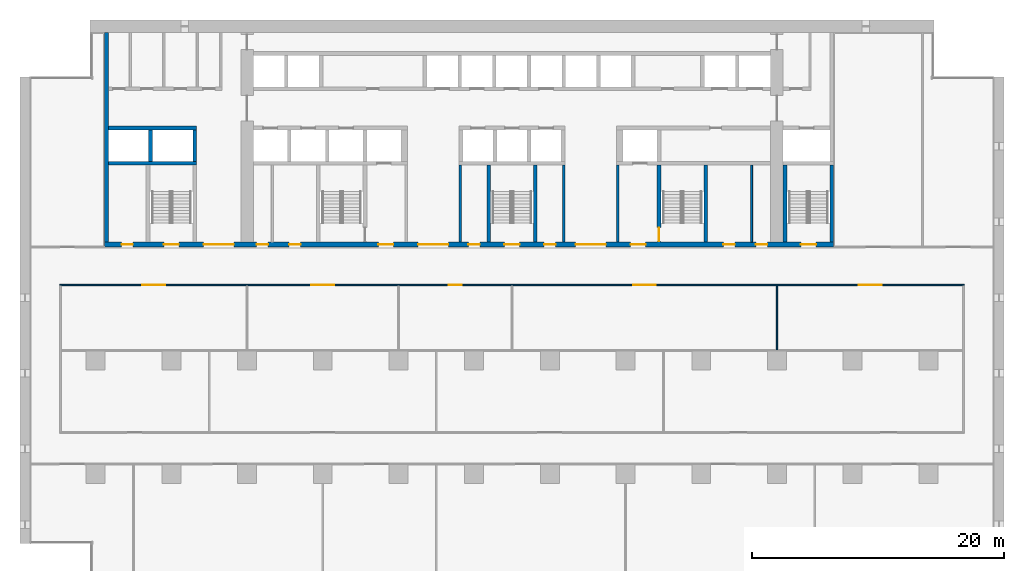
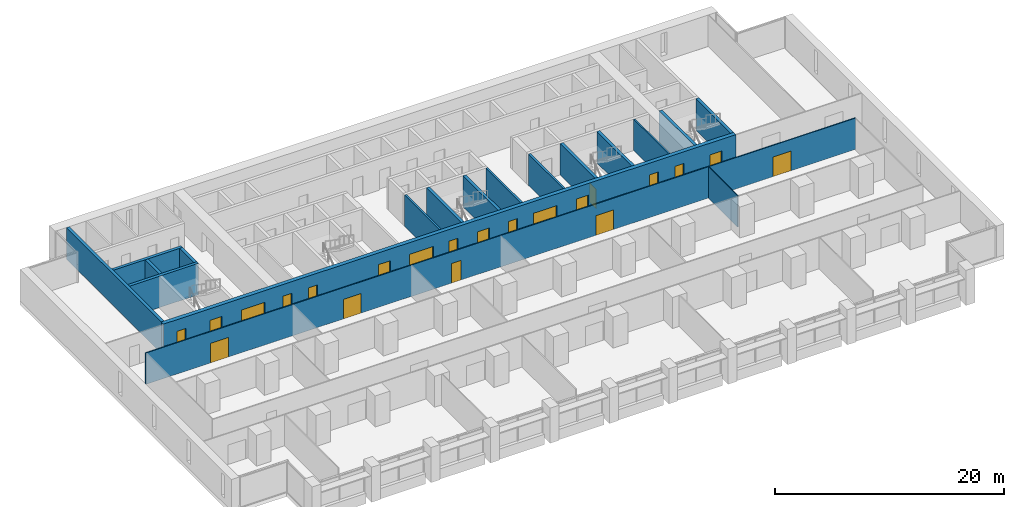
# One storey, part 10 of 18: 21 doors, 18 walls, 21 openings.
"""IFC4 building model written with IfcOpenShell, lengths in metres."""

import ifcopenshell
import ifcopenshell.guid

model = None  # the IFC model being written
_history = None  # IfcOwnerHistory: only IFC2X3 demands one
_inside = {}  # id of a spatial element -> (the spatial element, [elements in it])
_under = {}  # id of a project, library or spatial element -> (it, [spatial elements below it])
_declared = {}  # id of a project -> (the project, [libraries it declares])
_typed = {}  # id of a type object -> (the type object, [elements of that type])
_made_of = {}  # id of a material, layer set ... -> (it, [elements and type objects made of it])


def new_model(schema):
    """Start an empty IFC model of exactly this schema.

    Asked for "IFC4X3", IfcOpenShell would pick the latest addendum, in which some entities
    have other attributes; the version numbers below select the first issue.
    IFC2X3 requires an IfcOwnerHistory on every rooted entity: one is made here for all.
    """
    global model, _history
    if schema == "IFC4X3":
        model = ifcopenshell.file(schema_version=(4, 3, 0, 0))
    else:
        model = ifcopenshell.file(schema=schema)
    _inside.clear()
    _under.clear()
    _declared.clear()
    _typed.clear()
    _made_of.clear()
    _history = None
    if model.schema == "IFC2X3":
        org = make("IfcOrganization", Name="unknown")
        user = make(
            "IfcPersonAndOrganization",
            ThePerson=make("IfcPerson", FamilyName="unknown"),
            TheOrganization=org,
        )
        app = make(
            "IfcApplication",
            ApplicationDeveloper=org,
            Version="unknown",
            ApplicationFullName="unknown",
            ApplicationIdentifier="unknown",
        )
        _history = make(
            "IfcOwnerHistory",
            OwningUser=user,
            OwningApplication=app,
            ChangeAction="ADDED",
            CreationDate=0,
        )
    return model


def make(cls, **values):
    """One entity of the class cls with the attributes given. An attribute that is None is left unset."""
    return model.create_entity(
        cls, **{name: value for name, value in values.items() if value is not None}
    )


def rooted(cls, **values):
    """An entity with a GlobalId (a new one), such as an element, a storey or a relation."""
    return make(cls, GlobalId=ifcopenshell.guid.new(), OwnerHistory=_history, **values)


def si_unit(unit_type, name, prefix=None):
    """IfcSIUnit, for example si_unit("LENGTHUNIT", "METRE", prefix="MILLI")."""
    return make("IfcSIUnit", UnitType=unit_type, Prefix=prefix, Name=name)


def assignment(units):
    """IfcUnitAssignment: the units of a project."""
    return None if units is None else make("IfcUnitAssignment", Units=units)


def point(xyz):
    """IfcCartesianPoint."""
    return None if xyz is None else make("IfcCartesianPoint", Coordinates=xyz)


def direction(xyz):
    """IfcDirection."""
    return None if xyz is None else make("IfcDirection", DirectionRatios=xyz)


def frame(location, z_axis=None, x_axis=None):
    """IfcAxis2Placement3D, a coordinate frame: its origin and axes. An axis left out is left unset."""
    return make(
        "IfcAxis2Placement3D",
        Location=point(location),
        Axis=direction(z_axis),
        RefDirection=direction(x_axis),
    )


def frame_2d(location, x_axis=None):
    """IfcAxis2Placement2D, a coordinate frame in the plane: its origin and x axis."""
    return make(
        "IfcAxis2Placement2D", Location=point(location), RefDirection=direction(x_axis)
    )


def origin():
    """The frame at (0, 0, 0) with its axes left unset."""
    return frame((0.0, 0.0, 0.0))


def place(relative_to, where):
    """IfcLocalPlacement: puts the frame where relative to a parent placement (None: the world)."""
    return make(
        "IfcLocalPlacement", PlacementRelTo=relative_to, RelativePlacement=where
    )


def context(
    kind, dimensions, precision=None, world=None, true_north=None, identifier=None
):
    """IfcGeometricRepresentationContext, for example the 3D "Model" context."""
    return make(
        "IfcGeometricRepresentationContext",
        ContextIdentifier=identifier,
        ContextType=kind,
        CoordinateSpaceDimension=dimensions,
        Precision=precision,
        WorldCoordinateSystem=world,
        TrueNorth=true_north,
    )


def subcontext(parent, identifier, kind, view, scale=None):
    """IfcGeometricRepresentationSubContext, for example "Body" below "Model"."""
    return make(
        "IfcGeometricRepresentationSubContext",
        ContextIdentifier=identifier,
        ContextType=kind,
        ParentContext=parent,
        TargetScale=scale,
        TargetView=view,
    )


def project(units=None, contexts=None):
    """IfcProject with its units and contexts."""
    return rooted(
        "IfcProject",
        Name="project",
        RepresentationContexts=contexts,
        UnitsInContext=assignment(units),
    )


def spatial(cls, under=None, at=None, **own):
    """A site, building, storey or space (cls), placed at a placement, below another one or the project."""
    s = rooted(cls, ObjectPlacement=at, **own)
    if under is not None:
        _under.setdefault(under.id(), (under, []))[1].append(s)
    return s


def profile(cls, at=None, kind="AREA", **sizes):
    """A parametric profile (cls). Its sizes go by their IFC names, for example OverallWidth=200.0."""
    return make(cls, ProfileType=kind, Position=at, **sizes)


def rectangle(**sizes):
    """IfcRectangleProfileDef."""
    return profile("IfcRectangleProfileDef", **sizes)


def extrude(swept, where, along, depth):
    """IfcExtrudedAreaSolid: the profile swept, set in the frame where, extruded along a direction by depth."""
    return make(
        "IfcExtrudedAreaSolid",
        SweptArea=swept,
        Position=where,
        ExtrudedDirection=direction(along),
        Depth=depth,
    )


def shape(context_of_items, identifier, shape_type, items):
    """IfcShapeRepresentation: the items that make up one representation, for example the "Body"."""
    return make(
        "IfcShapeRepresentation",
        ContextOfItems=context_of_items,
        RepresentationIdentifier=identifier,
        RepresentationType=shape_type,
        Items=items,
    )


def material(Name=None, Category=None):
    """IfcMaterial."""
    return make("IfcMaterial", Name=Name, Category=Category)


def layer(
    of_material, thickness, ventilated=None, Name=None, Category=None, Priority=None
):
    """IfcMaterialLayer: one layer of a wall or slab, of a material (None: an air gap)."""
    return make(
        "IfcMaterialLayer",
        Material=of_material,
        LayerThickness=thickness,
        IsVentilated=ventilated,
        Name=Name,
        Category=Category,
        Priority=Priority,
    )


def layer_set(layers, Name=None):
    """IfcMaterialLayerSet."""
    return make("IfcMaterialLayerSet", MaterialLayers=layers, LayerSetName=Name)


def made_of(thing, what):
    """Note that an element or type object is made of a material, layer set ...; save() writes the relation."""
    if what is not None:
        _made_of.setdefault(what.id(), (what, []))[1].append(thing)
    return thing


def type_object(cls, material=None, **own):
    """A type object (cls), such as IfcWallType, which elements share."""
    return made_of(rooted(cls, **own), material)


def element(
    cls,
    number,
    at=None,
    inside=None,
    cuts=None,
    type_object=None,
    material=None,
    context=None,
    identifier="Body",
    shape_type=None,
    held_by="IfcProductDefinitionShape",
    body=None,
    shapes=None,
    **own,
):
    """One element of the class cls, such as IfcWall. Its Tag is "e" and its number.

    at: its placement. inside: the storey or other place that contains it. cuts: it is an
    opening in that element (IfcRelVoidsElement). A single representation is given by context,
    identifier, shape_type and body (its items); several are given by shapes. held_by: the class
    of the entity that holds the representations. save() writes the other relations.
    """
    e = rooted(cls, Tag="e%d" % number, ObjectPlacement=at, **own)
    if body is not None:
        shapes = [shape(context, identifier, shape_type, body)]
    if shapes is not None:
        e.Representation = make(held_by, Representations=shapes)
    if inside is not None:
        _inside.setdefault(inside.id(), (inside, []))[1].append(e)
    if cuts is not None:
        rooted(
            "IfcRelVoidsElement", RelatingBuildingElement=cuts, RelatedOpeningElement=e
        )
    if type_object is not None:
        _typed.setdefault(type_object.id(), (type_object, []))[1].append(e)
    return made_of(e, material)


def fill(opening, filler):
    """IfcRelFillsElement: the door or window that sits in an opening."""
    return rooted(
        "IfcRelFillsElement",
        RelatingOpeningElement=opening,
        RelatedBuildingElement=filler,
    )


def aggregate(whole, parts):
    """IfcRelAggregates: a whole, such as a stair, and the parts it consists of."""
    return rooted("IfcRelAggregates", RelatingObject=whole, RelatedObjects=parts)


def save(model, path):
    """Write the relations noted so far, then the file.

    IfcRelAggregates (storeys below a building ...), IfcRelContainedInSpatialStructure (elements
    in a storey), IfcRelDefinesByType, IfcRelAssociatesMaterial and IfcRelDeclares: one each for
    every whole, place, type object, material and project.
    """
    for whole, parts in _under.values():
        aggregate(whole, parts)
    for where, things in _inside.values():
        rooted(
            "IfcRelContainedInSpatialStructure",
            RelatedElements=things,
            RelatingStructure=where,
        )
    for kind, things in _typed.values():
        rooted("IfcRelDefinesByType", RelatedObjects=things, RelatingType=kind)
    for what, things in _made_of.values():
        rooted("IfcRelAssociatesMaterial", RelatedObjects=things, RelatingMaterial=what)
    for by, libraries in _declared.values():
        rooted("IfcRelDeclares", RelatingContext=by, RelatedDefinitions=libraries)
    model.write(path)


model = new_model("IFC4")

# Units and contexts
model_context = context("Model", 3, precision=1e-05, world=origin(), true_north=direction((0.0, 1.0)))
body_context = subcontext(model_context, "Body", "Model", "MODEL_VIEW")
ifc_project = project(units=[si_unit("LENGTHUNIT", "METRE"), si_unit("AREAUNIT", "SQUARE_METRE"), si_unit("VOLUMEUNIT", "CUBIC_METRE"), si_unit("PLANEANGLEUNIT", "RADIAN"), si_unit("MASSUNIT", "GRAM", prefix="KILO")], contexts=[model_context])

# Site, building, storey
site_placement = place(None, origin())
site = spatial("IfcSite", under=ifc_project, at=site_placement, CompositionType="ELEMENT")
building_placement = place(site_placement, origin())
building = spatial("IfcBuilding", under=site, at=building_placement, Name="Calvaro Tower", CompositionType="ELEMENT")
storey_placement = place(building_placement, frame((0.0, 0.0, 78.75)))
storey = spatial("IfcBuildingStorey", under=building, at=storey_placement, Name="L19", CompositionType="ELEMENT", Elevation=78.75)

# Walls
ifc_material_1 = material(Name="Blockwork partition", Category="masonry")
ifc_layer_1 = layer(ifc_material_1, 0.14990234375)
ifc_layer_set_1 = layer_set([ifc_layer_1], Name="Blockwork partition")
wall_type_1 = type_object("IfcWallType", Name="Core partition 150 EI 60", PredefinedType="PARTITIONING", material=ifc_layer_set_1)
wall_1_placement = place(storey_placement, frame((58.0, 28.39990234375, 0.0), z_axis=(0.0, 0.0, 1.0), x_axis=(0.0, 1.0, 0.0)))
element("IfcWall", 1, at=wall_1_placement, inside=storey, type_object=wall_type_1, Name="Core partition", PredefinedType="PARTITIONING", context=body_context, shape_type="SweptSolid", body=[
    extrude(rectangle(XDim=6.10009765625, YDim=0.14990234375, at=frame_2d((3.050048828125, 0.0))), origin(), (0.0, 0.0, 1.0), 3.35009765625),
])
ifc_material_2 = material(Name="Blockwork partition", Category="masonry")
ifc_layer_2 = layer(ifc_material_2, 0.199951171875)
ifc_layer_set_2 = layer_set([ifc_layer_2], Name="Blockwork partition")
wall_type_2 = type_object("IfcWallType", Name="Core partition 200 REI 120", PredefinedType="PARTITIONING", material=ifc_layer_set_2)
for number, where, z_axis, x_axis, name in (
    (2, (34.89990234375, 28.39990234375, 0.0), (0.0, 0.0, 1.0), (0.0, 1.0, 0.0), "Core partition"),
    (3, (43.10009765625, 28.39990234375, 0.0), (0.0, 0.0, 1.0), (0.0, 1.0, 0.0), "Core partition"),
    (4, (47.39990234375, 28.39990234375, 0.0), (0.0, 0.0, 1.0), (0.0, 1.0, 0.0), "Core partition"),
):
    element("IfcWall", number, at=place(storey_placement, frame(where, z_axis=z_axis, x_axis=x_axis)), inside=storey, type_object=wall_type_2, Name=name, PredefinedType="PARTITIONING", context=body_context, shape_type="SweptSolid", body=[
        extrude(rectangle(XDim=6.10009765625, YDim=0.199951171875, at=frame_2d((3.050048828125, 0.0))), origin(), (0.0, 0.0, 1.0), 3.35009765625),
    ])
ifc_material_3 = material(Name="Concrete C80/95", Category="concrete")
ifc_layer_3 = layer(ifc_material_3, 0.300048828125)
ifc_layer_set_3 = layer_set([ifc_layer_3], Name="Concrete C80/95")
wall_type_3 = type_object("IfcWallType", Name="Core wall C80/95 300", PredefinedType="SHEAR", material=ifc_layer_set_3)
wall_2_placement = place(storey_placement, frame((6.85009765625, 28.39990234375, 0.0), z_axis=(0.0, 0.0, 1.0), x_axis=(0.0, 1.0, 0.0)))
element("IfcWall", 5, at=wall_2_placement, inside=storey, type_object=wall_type_3, Name="Core wall, boundary", PredefinedType="SHEAR", context=body_context, shape_type="SweptSolid", body=[
    extrude(rectangle(XDim=16.60009765625, YDim=0.300048828125, at=frame_2d((8.300048828125, 0.0))), origin(), (0.0, 0.0, 1.0), 3.35009765625),
])
for number, where, z_axis, x_axis, name in (
    (6, (37.14990234375, 28.39990234375, 0.0), (0.0, 0.0, 1.0), (0.0, 1.0, 0.0), "Core wall, stair enclosure"),
    (7, (40.85009765625, 28.39990234375, 0.0), (0.0, 0.0, 1.0), (0.0, 1.0, 0.0), "Core wall, stair enclosure"),
):
    element("IfcWall", number, at=place(storey_placement, frame(where, z_axis=z_axis, x_axis=x_axis)), inside=storey, type_object=wall_type_3, Name=name, PredefinedType="SHEAR", context=body_context, shape_type="SweptSolid", body=[
        extrude(rectangle(XDim=6.10009765625, YDim=0.300048828125, at=frame_2d((3.050048828125, 0.0))), origin(), (0.0, 0.0, 1.0), 3.35009765625),
    ])

# Wall, opening, door
wall_3_placement = place(storey_placement, frame((50.64990234375, 34.5, 0.0), z_axis=(0.0, 0.0, 1.0), x_axis=(0.0, -1.0, 0.0)))
wall_3 = element("IfcWall", 8, at=wall_3_placement, inside=storey, type_object=wall_type_3, Name="Core wall, stair enclosure", PredefinedType="SHEAR", context=body_context, shape_type="SweptSolid", body=[
    extrude(rectangle(XDim=6.10009765625, YDim=0.300048828125, at=frame_2d((3.050048828125, 0.0))), origin(), (0.0, 0.0, 1.0), 3.35009765625),
])
opening_1_placement = place(wall_3_placement, frame((4.949951171875, 0.0, 0.0)))
opening_1 = element("IfcOpeningElement", 9, at=opening_1_placement, cuts=wall_3, Name="Opening FD11D", PredefinedType="OPENING", context=body_context, shape_type="SweptSolid", body=[
    extrude(rectangle(XDim=1.10009765625, YDim=2.10009765625, at=frame_2d((0.550048828125, 1.050048828125))), frame((0.0, 0.159912109375, 0.0), z_axis=(0.0, -1.0, 0.0), x_axis=(1.0, 0.0, 0.0)), (0.0, 0.0, 1.0), 0.320068359375),
])
ifc_material_4 = material(Name="Steel door set", Category="steel")
door_type_1 = type_object("IfcDoorType", Name="Fire door 1100 FD30S", OperationType="SINGLE_SWING_LEFT", PredefinedType="DOOR", material=ifc_material_4)
door_1_placement = place(opening_1_placement, origin())
door_1 = element("IfcDoor", 10, at=door_1_placement, inside=storey, type_object=door_type_1, Name="Fire door", OperationType="SINGLE_SWING_RIGHT", OverallHeight=2.10009765625, OverallWidth=1.10009765625, PredefinedType="DOOR", context=body_context, shape_type="SweptSolid", body=[
    extrude(rectangle(XDim=1.10009765625, YDim=2.10009765625, at=frame_2d((0.550048828125, 1.050048828125))), frame((0.0, 0.02490234375, 0.0), z_axis=(0.0, -1.0, 0.0), x_axis=(1.0, 0.0, 0.0)), (0.0, 0.0, 1.0), 0.050048828125),
])
fill(opening_1, door_1)

# Walls
for number, where, z_axis, x_axis, name in (
    (11, (54.35009765625, 28.39990234375, 0.0), (0.0, 0.0, 1.0), (0.0, 1.0, 0.0), "Core wall, stair enclosure"),
    (12, (60.64990234375, 28.39990234375, 0.0), (0.0, 0.0, 1.0), (0.0, 1.0, 0.0), "Core wall, stair enclosure"),
    (13, (64.35009765625, 28.39990234375, 0.0), (0.0, 0.0, 1.0), (0.0, 1.0, 0.0), "Core wall, stair enclosure"),
):
    element("IfcWall", number, at=place(storey_placement, frame(where, z_axis=z_axis, x_axis=x_axis)), inside=storey, type_object=wall_type_3, Name=name, PredefinedType="SHEAR", context=body_context, shape_type="SweptSolid", body=[
        extrude(rectangle(XDim=6.10009765625, YDim=0.300048828125, at=frame_2d((3.050048828125, 0.0))), origin(), (0.0, 0.0, 1.0), 3.35009765625),
    ])
for number, where, z_axis, x_axis, name in (
    (14, (7.0, 34.64990234375, 0.0), (0.0, 0.0, 1.0), (1.0, 0.0, 0.0), "Core wall, lift shaft"),
    (15, (7.0, 37.449951171875, 0.0), (0.0, 0.0, 1.0), (1.0, 0.0, 0.0), "Core wall, lift shaft"),
):
    element("IfcWall", number, at=place(storey_placement, frame(where, z_axis=z_axis, x_axis=x_axis)), inside=storey, type_object=wall_type_3, Name=name, PredefinedType="SHEAR", context=body_context, shape_type="SweptSolid", body=[
        extrude(rectangle(XDim=7.0, YDim=0.300048828125, at=frame_2d((3.5, 0.0))), origin(), (0.0, 0.0, 1.0), 3.35009765625),
    ])
for number, where, z_axis, x_axis, name in (
    (16, (13.85009765625, 34.800048828125, 0.0), (0.0, 0.0, 1.0), (0.0, 1.0, 0.0), "Core wall, lift shaft"),
    (17, (10.35009765625, 34.800048828125, 0.0), (0.0, 0.0, 1.0), (0.0, 1.0, 0.0), "Core wall, lift shaft"),
):
    element("IfcWall", number, at=place(storey_placement, frame(where, z_axis=z_axis, x_axis=x_axis)), inside=storey, type_object=wall_type_3, Name=name, PredefinedType="SHEAR", context=body_context, shape_type="SweptSolid", body=[
        extrude(rectangle(XDim=2.5, YDim=0.300048828125, at=frame_2d((1.25, 0.0))), origin(), (0.0, 0.0, 1.0), 3.35009765625),
    ])

# Wall, openings, doors
ifc_material_5 = material(Name="Concrete C80/95", Category="concrete")
ifc_layer_4 = layer(ifc_material_5, 0.39990234375)
ifc_layer_set_4 = layer_set([ifc_layer_4], Name="Concrete C80/95")
wall_type_4 = type_object("IfcWallType", Name="Core wall C80/95 400", PredefinedType="SHEAR", material=ifc_layer_set_4)
wall_4_placement = place(storey_placement, frame((6.699951171875, 28.199951171875, 0.0), z_axis=(0.0, 0.0, 1.0), x_axis=(1.0, 0.0, 0.0)))
wall_4 = element("IfcWall", 18, at=wall_4_placement, inside=storey, type_object=wall_type_4, Name="Core wall, front", PredefinedType="SHEAR", context=body_context, shape_type="SweptSolid", body=[
    extrude(rectangle(XDim=57.800048828125, YDim=0.39990234375, at=frame_2d((28.89990234375, 0.0))), origin(), (0.0, 0.0, 1.0), 3.35009765625),
])
opening_2_placement = place(wall_4_placement, frame((12.0625, 0.0, 0.0)))
opening_2 = element("IfcOpeningElement", 19, at=opening_2_placement, cuts=wall_4, Name="Opening RD9C", PredefinedType="OPENING", context=body_context, shape_type="SweptSolid", body=[
    extrude(rectangle(XDim=0.89990234375, YDim=2.10009765625, at=frame_2d((0.449951171875, 1.050048828125))), frame((0.0, 0.2099609375, 0.0), z_axis=(0.0, -1.0, 0.0), x_axis=(1.0, 0.0, 0.0)), (0.0, 0.0, 1.0), 0.419921875),
])
opening_3_placement = place(wall_4_placement, frame((14.637451171875, 0.0, 0.0)))
opening_3 = element("IfcOpeningElement", 20, at=opening_3_placement, cuts=wall_4, Name="Opening RD9E", PredefinedType="OPENING", context=body_context, shape_type="SweptSolid", body=[
    extrude(rectangle(XDim=0.89990234375, YDim=2.10009765625, at=frame_2d((0.449951171875, 1.050048828125))), frame((0.0, 0.2099609375, 0.0), z_axis=(0.0, -1.0, 0.0), x_axis=(1.0, 0.0, 0.0)), (0.0, 0.0, 1.0), 0.419921875),
])
opening_4_placement = place(wall_4_placement, frame((49.0625, 0.0, 0.0)))
opening_4 = element("IfcOpeningElement", 21, at=opening_4_placement, cuts=wall_4, Name="Opening RD9E", PredefinedType="OPENING", context=body_context, shape_type="SweptSolid", body=[
    extrude(rectangle(XDim=0.89990234375, YDim=2.10009765625, at=frame_2d((0.449951171875, 1.050048828125))), frame((0.0, 0.2099609375, 0.0), z_axis=(0.0, -1.0, 0.0), x_axis=(1.0, 0.0, 0.0)), (0.0, 0.0, 1.0), 0.419921875),
])
opening_5_placement = place(wall_4_placement, frame((51.637451171875, 0.0, 0.0)))
opening_5 = element("IfcOpeningElement", 22, at=opening_5_placement, cuts=wall_4, Name="Opening RD9C", PredefinedType="OPENING", context=body_context, shape_type="SweptSolid", body=[
    extrude(rectangle(XDim=0.89990234375, YDim=2.10009765625, at=frame_2d((0.449951171875, 1.050048828125))), frame((0.0, 0.2099609375, 0.0), z_axis=(0.0, -1.0, 0.0), x_axis=(1.0, 0.0, 0.0)), (0.0, 0.0, 1.0), 0.419921875),
])
opening_6_placement = place(wall_4_placement, frame((1.35009765625, 0.0, 0.0)))
opening_6 = element("IfcOpeningElement", 23, at=opening_6_placement, cuts=wall_4, Name="Opening RD9E", PredefinedType="OPENING", context=body_context, shape_type="SweptSolid", body=[
    extrude(rectangle(XDim=0.89990234375, YDim=2.10009765625, at=frame_2d((0.449951171875, 1.050048828125))), frame((0.0, 0.2099609375, 0.0), z_axis=(0.0, -1.0, 0.0), x_axis=(1.0, 0.0, 0.0)), (0.0, 0.0, 1.0), 0.419921875),
])
opening_7_placement = place(wall_4_placement, frame((4.699951171875, 0.0, 0.0)))
opening_7 = element("IfcOpeningElement", 24, at=opening_7_placement, cuts=wall_4, Name="Opening SD12D", PredefinedType="OPENING", context=body_context, shape_type="SweptSolid", body=[
    extrude(rectangle(XDim=1.199951171875, YDim=2.10009765625, at=frame_2d((0.60009765625, 1.050048828125))), frame((0.0, 0.2099609375, 0.0), z_axis=(0.0, -1.0, 0.0), x_axis=(1.0, 0.0, 0.0)), (0.0, 0.0, 1.0), 0.419921875),
])
opening_8_placement = place(wall_4_placement, frame((31.699951171875, 0.0, 0.0)))
opening_8 = element("IfcOpeningElement", 25, at=opening_8_placement, cuts=wall_4, Name="Opening SD12D", PredefinedType="OPENING", context=body_context, shape_type="SweptSolid", body=[
    extrude(rectangle(XDim=1.199951171875, YDim=2.10009765625, at=frame_2d((0.60009765625, 1.050048828125))), frame((0.0, 0.2099609375, 0.0), z_axis=(0.0, -1.0, 0.0), x_axis=(1.0, 0.0, 0.0)), (0.0, 0.0, 1.0), 0.419921875),
])
opening_9_placement = place(wall_4_placement, frame((55.199951171875, 0.0, 0.0)))
opening_9 = element("IfcOpeningElement", 26, at=opening_9_placement, cuts=wall_4, Name="Opening SD12D", PredefinedType="OPENING", context=body_context, shape_type="SweptSolid", body=[
    extrude(rectangle(XDim=1.199951171875, YDim=2.10009765625, at=frame_2d((0.60009765625, 1.050048828125))), frame((0.0, 0.2099609375, 0.0), z_axis=(0.0, -1.0, 0.0), x_axis=(1.0, 0.0, 0.0)), (0.0, 0.0, 1.0), 0.419921875),
])
opening_10_placement = place(wall_4_placement, frame((21.699951171875, 0.0, 0.0)))
opening_10 = element("IfcOpeningElement", 27, at=opening_10_placement, cuts=wall_4, Name="Opening FD12F", PredefinedType="OPENING", context=body_context, shape_type="SweptSolid", body=[
    extrude(rectangle(XDim=1.199951171875, YDim=2.10009765625, at=frame_2d((0.60009765625, 1.050048828125))), frame((0.0, 0.2099609375, 0.0), z_axis=(0.0, -1.0, 0.0), x_axis=(1.0, 0.0, 0.0)), (0.0, 0.0, 1.0), 0.419921875),
])
opening_11_placement = place(wall_4_placement, frame((41.699951171875, 0.0, 0.0)))
opening_11 = element("IfcOpeningElement", 28, at=opening_11_placement, cuts=wall_4, Name="Opening FD12F", PredefinedType="OPENING", context=body_context, shape_type="SweptSolid", body=[
    extrude(rectangle(XDim=1.199951171875, YDim=2.10009765625, at=frame_2d((0.60009765625, 1.050048828125))), frame((0.0, 0.2099609375, 0.0), z_axis=(0.0, -1.0, 0.0), x_axis=(1.0, 0.0, 0.0)), (0.0, 0.0, 1.0), 0.419921875),
])
opening_12_placement = place(wall_4_placement, frame((24.85009765625, 0.0, 0.0)))
opening_12 = element("IfcOpeningElement", 29, at=opening_12_placement, cuts=wall_4, Name="Opening DD24D", PredefinedType="OPENING", context=body_context, shape_type="SweptSolid", body=[
    extrude(rectangle(XDim=2.39990234375, YDim=2.10009765625, at=frame_2d((1.199951171875, 1.050048828125))), frame((0.0, 0.2099609375, 0.0), z_axis=(0.0, -1.0, 0.0), x_axis=(1.0, 0.0, 0.0)), (0.0, 0.0, 1.0), 0.419921875),
])
opening_13_placement = place(wall_4_placement, frame((37.35009765625, 0.0, 0.0)))
opening_13 = element("IfcOpeningElement", 30, at=opening_13_placement, cuts=wall_4, Name="Opening DD24D", PredefinedType="OPENING", context=body_context, shape_type="SweptSolid", body=[
    extrude(rectangle(XDim=2.39990234375, YDim=2.10009765625, at=frame_2d((1.199951171875, 1.050048828125))), frame((0.0, 0.2099609375, 0.0), z_axis=(0.0, -1.0, 0.0), x_axis=(1.0, 0.0, 0.0)), (0.0, 0.0, 1.0), 0.419921875),
])
opening_14_placement = place(wall_4_placement, frame((7.85009765625, 0.0, 0.0)))
opening_14 = element("IfcOpeningElement", 31, at=opening_14_placement, cuts=wall_4, Name="Opening DD24D", PredefinedType="OPENING", context=body_context, shape_type="SweptSolid", body=[
    extrude(rectangle(XDim=2.39990234375, YDim=2.10009765625, at=frame_2d((1.199951171875, 1.050048828125))), frame((0.0, 0.2099609375, 0.0), z_axis=(0.0, -1.0, 0.0), x_axis=(1.0, 0.0, 0.0)), (0.0, 0.0, 1.0), 0.419921875),
])
opening_15_placement = place(wall_4_placement, frame((28.85009765625, 0.0, 0.0)))
opening_15 = element("IfcOpeningElement", 32, at=opening_15_placement, cuts=wall_4, Name="Opening RD9E", PredefinedType="OPENING", context=body_context, shape_type="SweptSolid", body=[
    extrude(rectangle(XDim=0.89990234375, YDim=2.10009765625, at=frame_2d((0.449951171875, 1.050048828125))), frame((0.0, 0.2099609375, 0.0), z_axis=(0.0, -1.0, 0.0), x_axis=(1.0, 0.0, 0.0)), (0.0, 0.0, 1.0), 0.419921875),
])
opening_16_placement = place(wall_4_placement, frame((34.85009765625, 0.0, 0.0)))
opening_16 = element("IfcOpeningElement", 33, at=opening_16_placement, cuts=wall_4, Name="Opening RD9E", PredefinedType="OPENING", context=body_context, shape_type="SweptSolid", body=[
    extrude(rectangle(XDim=0.89990234375, YDim=2.10009765625, at=frame_2d((0.449951171875, 1.050048828125))), frame((0.0, 0.2099609375, 0.0), z_axis=(0.0, -1.0, 0.0), x_axis=(1.0, 0.0, 0.0)), (0.0, 0.0, 1.0), 0.419921875),
])
ifc_material_6 = material(Name="Steel door set", Category="steel")
door_type_2 = type_object("IfcDoorType", Name="Fire door 1200 FD60S", OperationType="SINGLE_SWING_LEFT", PredefinedType="DOOR", material=ifc_material_6)
door_2_placement = place(opening_10_placement, origin())
door_2 = element("IfcDoor", 34, at=door_2_placement, inside=storey, type_object=door_type_2, Name="Fire door", OperationType="SINGLE_SWING_LEFT", OverallHeight=2.10009765625, OverallWidth=1.199951171875, PredefinedType="DOOR", context=body_context, shape_type="SweptSolid", body=[
    extrude(rectangle(XDim=1.199951171875, YDim=2.10009765625, at=frame_2d((0.60009765625, 1.050048828125))), frame((0.0, 0.02490234375, 0.0), z_axis=(0.0, -1.0, 0.0), x_axis=(1.0, 0.0, 0.0)), (0.0, 0.0, 1.0), 0.050048828125),
])
fill(opening_10, door_2)
door_3_placement = place(opening_11_placement, origin())
door_3 = element("IfcDoor", 35, at=door_3_placement, inside=storey, type_object=door_type_2, Name="Fire door", OperationType="SINGLE_SWING_LEFT", OverallHeight=2.10009765625, OverallWidth=1.199951171875, PredefinedType="DOOR", context=body_context, shape_type="SweptSolid", body=[
    extrude(rectangle(XDim=1.199951171875, YDim=2.10009765625, at=frame_2d((0.60009765625, 1.050048828125))), frame((0.0, 0.02490234375, 0.0), z_axis=(0.0, -1.0, 0.0), x_axis=(1.0, 0.0, 0.0)), (0.0, 0.0, 1.0), 0.050048828125),
])
fill(opening_11, door_3)
ifc_material_7 = material(Name="Steel door set", Category="steel")
door_type_3 = type_object("IfcDoorType", Name="Lobby double door 2400 FD30S", OperationType="DOUBLE_DOOR_SINGLE_SWING", PredefinedType="DOOR", material=ifc_material_7)
door_4_placement = place(opening_12_placement, origin())
door_4 = element("IfcDoor", 36, at=door_4_placement, inside=storey, type_object=door_type_3, Name="Lobby double door", OperationType="DOUBLE_DOOR_SINGLE_SWING", OverallHeight=2.10009765625, OverallWidth=2.39990234375, PredefinedType="DOOR", context=body_context, shape_type="SweptSolid", body=[
    extrude(rectangle(XDim=2.39990234375, YDim=2.10009765625, at=frame_2d((1.199951171875, 1.050048828125))), frame((0.0, 0.02490234375, 0.0), z_axis=(0.0, -1.0, 0.0), x_axis=(1.0, 0.0, 0.0)), (0.0, 0.0, 1.0), 0.050048828125),
])
fill(opening_12, door_4)
door_5_placement = place(opening_13_placement, origin())
door_5 = element("IfcDoor", 37, at=door_5_placement, inside=storey, type_object=door_type_3, Name="Lobby double door", OperationType="DOUBLE_DOOR_SINGLE_SWING", OverallHeight=2.10009765625, OverallWidth=2.39990234375, PredefinedType="DOOR", context=body_context, shape_type="SweptSolid", body=[
    extrude(rectangle(XDim=2.39990234375, YDim=2.10009765625, at=frame_2d((1.199951171875, 1.050048828125))), frame((0.0, 0.02490234375, 0.0), z_axis=(0.0, -1.0, 0.0), x_axis=(1.0, 0.0, 0.0)), (0.0, 0.0, 1.0), 0.050048828125),
])
fill(opening_13, door_5)
door_6_placement = place(opening_14_placement, origin())
door_6 = element("IfcDoor", 38, at=door_6_placement, inside=storey, type_object=door_type_3, Name="Lobby double door", OperationType="DOUBLE_DOOR_SINGLE_SWING", OverallHeight=2.10009765625, OverallWidth=2.39990234375, PredefinedType="DOOR", context=body_context, shape_type="SweptSolid", body=[
    extrude(rectangle(XDim=2.39990234375, YDim=2.10009765625, at=frame_2d((1.199951171875, 1.050048828125))), frame((0.0, 0.02490234375, 0.0), z_axis=(0.0, -1.0, 0.0), x_axis=(1.0, 0.0, 0.0)), (0.0, 0.0, 1.0), 0.050048828125),
])
fill(opening_14, door_6)
ifc_material_8 = material(Name="Steel door set", Category="steel")
door_type_4 = type_object("IfcDoorType", Name="Room door 900 FD30", OperationType="SINGLE_SWING_LEFT", PredefinedType="DOOR", material=ifc_material_8)
door_7_placement = place(opening_2_placement, origin())
door_7 = element("IfcDoor", 39, at=door_7_placement, inside=storey, type_object=door_type_4, Name="Room door", OperationType="SINGLE_SWING_LEFT", OverallHeight=2.10009765625, OverallWidth=0.89990234375, PredefinedType="DOOR", context=body_context, shape_type="SweptSolid", body=[
    extrude(rectangle(XDim=0.89990234375, YDim=2.10009765625, at=frame_2d((0.449951171875, 1.050048828125))), frame((0.0, 0.02490234375, 0.0), z_axis=(0.0, -1.0, 0.0), x_axis=(1.0, 0.0, 0.0)), (0.0, 0.0, 1.0), 0.050048828125),
])
fill(opening_2, door_7)
door_8_placement = place(opening_5_placement, origin())
door_8 = element("IfcDoor", 40, at=door_8_placement, inside=storey, type_object=door_type_4, Name="Room door", OperationType="SINGLE_SWING_LEFT", OverallHeight=2.10009765625, OverallWidth=0.89990234375, PredefinedType="DOOR", context=body_context, shape_type="SweptSolid", body=[
    extrude(rectangle(XDim=0.89990234375, YDim=2.10009765625, at=frame_2d((0.449951171875, 1.050048828125))), frame((0.0, 0.02490234375, 0.0), z_axis=(0.0, -1.0, 0.0), x_axis=(1.0, 0.0, 0.0)), (0.0, 0.0, 1.0), 0.050048828125),
])
fill(opening_5, door_8)
ifc_material_9 = material(Name="Steel door set", Category="steel")
door_type_5 = type_object("IfcDoorType", Name="Room door 900 FD60", OperationType="SINGLE_SWING_LEFT", PredefinedType="DOOR", material=ifc_material_9)
door_9_placement = place(opening_3_placement, origin())
door_9 = element("IfcDoor", 41, at=door_9_placement, inside=storey, type_object=door_type_5, Name="Room door", OperationType="SINGLE_SWING_RIGHT", OverallHeight=2.10009765625, OverallWidth=0.89990234375, PredefinedType="DOOR", context=body_context, shape_type="SweptSolid", body=[
    extrude(rectangle(XDim=0.89990234375, YDim=2.10009765625, at=frame_2d((0.449951171875, 1.050048828125))), frame((0.0, 0.02490234375, 0.0), z_axis=(0.0, -1.0, 0.0), x_axis=(1.0, 0.0, 0.0)), (0.0, 0.0, 1.0), 0.050048828125),
])
fill(opening_3, door_9)
door_10_placement = place(opening_4_placement, origin())
door_10 = element("IfcDoor", 42, at=door_10_placement, inside=storey, type_object=door_type_5, Name="Room door", OperationType="SINGLE_SWING_LEFT", OverallHeight=2.10009765625, OverallWidth=0.89990234375, PredefinedType="DOOR", context=body_context, shape_type="SweptSolid", body=[
    extrude(rectangle(XDim=0.89990234375, YDim=2.10009765625, at=frame_2d((0.449951171875, 1.050048828125))), frame((0.0, 0.02490234375, 0.0), z_axis=(0.0, -1.0, 0.0), x_axis=(1.0, 0.0, 0.0)), (0.0, 0.0, 1.0), 0.050048828125),
])
fill(opening_4, door_10)
door_11_placement = place(opening_6_placement, origin())
door_11 = element("IfcDoor", 43, at=door_11_placement, inside=storey, type_object=door_type_5, Name="Room door", OperationType="SINGLE_SWING_LEFT", OverallHeight=2.10009765625, OverallWidth=0.89990234375, PredefinedType="DOOR", context=body_context, shape_type="SweptSolid", body=[
    extrude(rectangle(XDim=0.89990234375, YDim=2.10009765625, at=frame_2d((0.449951171875, 1.050048828125))), frame((0.0, 0.02490234375, 0.0), z_axis=(0.0, -1.0, 0.0), x_axis=(1.0, 0.0, 0.0)), (0.0, 0.0, 1.0), 0.050048828125),
])
fill(opening_6, door_11)
door_12_placement = place(opening_15_placement, origin())
door_12 = element("IfcDoor", 44, at=door_12_placement, inside=storey, type_object=door_type_5, Name="Room door", OperationType="SINGLE_SWING_LEFT", OverallHeight=2.10009765625, OverallWidth=0.89990234375, PredefinedType="DOOR", context=body_context, shape_type="SweptSolid", body=[
    extrude(rectangle(XDim=0.89990234375, YDim=2.10009765625, at=frame_2d((0.449951171875, 1.050048828125))), frame((0.0, 0.02490234375, 0.0), z_axis=(0.0, -1.0, 0.0), x_axis=(1.0, 0.0, 0.0)), (0.0, 0.0, 1.0), 0.050048828125),
])
fill(opening_15, door_12)
door_13_placement = place(opening_16_placement, origin())
door_13 = element("IfcDoor", 45, at=door_13_placement, inside=storey, type_object=door_type_5, Name="Room door", OperationType="SINGLE_SWING_LEFT", OverallHeight=2.10009765625, OverallWidth=0.89990234375, PredefinedType="DOOR", context=body_context, shape_type="SweptSolid", body=[
    extrude(rectangle(XDim=0.89990234375, YDim=2.10009765625, at=frame_2d((0.449951171875, 1.050048828125))), frame((0.0, 0.02490234375, 0.0), z_axis=(0.0, -1.0, 0.0), x_axis=(1.0, 0.0, 0.0)), (0.0, 0.0, 1.0), 0.050048828125),
])
fill(opening_16, door_13)
ifc_material_10 = material(Name="Steel door set", Category="steel")
door_type_6 = type_object("IfcDoorType", Name="Stair door 1200 FD30S", OperationType="SINGLE_SWING_LEFT", PredefinedType="DOOR", material=ifc_material_10)
door_14_placement = place(opening_7_placement, origin())
door_14 = element("IfcDoor", 46, at=door_14_placement, inside=storey, type_object=door_type_6, Name="Stair door", OperationType="SINGLE_SWING_LEFT", OverallHeight=2.10009765625, OverallWidth=1.199951171875, PredefinedType="DOOR", context=body_context, shape_type="SweptSolid", body=[
    extrude(rectangle(XDim=1.199951171875, YDim=2.10009765625, at=frame_2d((0.60009765625, 1.050048828125))), frame((0.0, 0.02490234375, 0.0), z_axis=(0.0, -1.0, 0.0), x_axis=(1.0, 0.0, 0.0)), (0.0, 0.0, 1.0), 0.050048828125),
])
fill(opening_7, door_14)
door_15_placement = place(opening_8_placement, origin())
door_15 = element("IfcDoor", 47, at=door_15_placement, inside=storey, type_object=door_type_6, Name="Stair door", OperationType="SINGLE_SWING_LEFT", OverallHeight=2.10009765625, OverallWidth=1.199951171875, PredefinedType="DOOR", context=body_context, shape_type="SweptSolid", body=[
    extrude(rectangle(XDim=1.199951171875, YDim=2.10009765625, at=frame_2d((0.60009765625, 1.050048828125))), frame((0.0, 0.02490234375, 0.0), z_axis=(0.0, -1.0, 0.0), x_axis=(1.0, 0.0, 0.0)), (0.0, 0.0, 1.0), 0.050048828125),
])
fill(opening_8, door_15)
door_16_placement = place(opening_9_placement, origin())
door_16 = element("IfcDoor", 48, at=door_16_placement, inside=storey, type_object=door_type_6, Name="Stair door", OperationType="SINGLE_SWING_LEFT", OverallHeight=2.10009765625, OverallWidth=1.199951171875, PredefinedType="DOOR", context=body_context, shape_type="SweptSolid", body=[
    extrude(rectangle(XDim=1.199951171875, YDim=2.10009765625, at=frame_2d((0.60009765625, 1.050048828125))), frame((0.0, 0.02490234375, 0.0), z_axis=(0.0, -1.0, 0.0), x_axis=(1.0, 0.0, 0.0)), (0.0, 0.0, 1.0), 0.050048828125),
])
fill(opening_9, door_16)

ifc_material_11 = material(Name="Plasterboard on steel studs", Category="steel")
ifc_layer_5 = layer(ifc_material_11, 0.10009765625)
ifc_layer_set_5 = layer_set([ifc_layer_5], Name="Plasterboard on steel studs")
wall_type_5 = type_object("IfcWallType", Name="Partition 100", PredefinedType="PARTITIONING", material=ifc_layer_set_5)
wall_5_placement = place(storey_placement, frame((3.14990234375, 25.0, 0.0), z_axis=(0.0, 0.0, 1.0), x_axis=(1.0, 0.0, 0.0)))
wall_5 = element("IfcWall", 49, at=wall_5_placement, inside=storey, type_object=wall_type_5, Name="Partition T14.W004", PredefinedType="PARTITIONING", context=body_context, shape_type="SweptSolid", body=[
    extrude(rectangle(XDim=71.7001953125, YDim=0.10009765625, at=frame_2d((35.85009765625, 0.0))), origin(), (0.0, 0.0, 1.0), 3.35009765625),
])
opening_17_placement = place(wall_5_placement, frame((6.550048828125, 0.0, 0.0)))
opening_17 = element("IfcOpeningElement", 50, at=opening_17_placement, cuts=wall_5, Name="Opening T14.012", PredefinedType="OPENING", context=body_context, shape_type="SweptSolid", body=[
    extrude(rectangle(XDim=1.800048828125, YDim=2.10009765625, at=frame_2d((0.89990234375, 1.050048828125))), frame((0.0, 0.06005859375, 0.0), z_axis=(0.0, -1.0, 0.0), x_axis=(1.0, 0.0, 0.0)), (0.0, 0.0, 1.0), 0.1201171875),
])
opening_18_placement = place(wall_5_placement, frame((19.949951171875, 0.0, 0.0)))
opening_18 = element("IfcOpeningElement", 51, at=opening_18_placement, cuts=wall_5, Name="Opening T14.013", PredefinedType="OPENING", context=body_context, shape_type="SweptSolid", body=[
    extrude(rectangle(XDim=1.800048828125, YDim=2.10009765625, at=frame_2d((0.89990234375, 1.050048828125))), frame((0.0, 0.06005859375, 0.0), z_axis=(0.0, -1.0, 0.0), x_axis=(1.0, 0.0, 0.0)), (0.0, 0.0, 1.0), 0.1201171875),
])
opening_19_placement = place(wall_5_placement, frame((30.85009765625, 0.0, 0.0)))
opening_19 = element("IfcOpeningElement", 52, at=opening_19_placement, cuts=wall_5, Name="Opening T14.014", PredefinedType="OPENING", context=body_context, shape_type="SweptSolid", body=[
    extrude(rectangle(XDim=1.0, YDim=2.10009765625, at=frame_2d((0.5, 1.050048828125))), frame((0.0, 0.06005859375, 0.0), z_axis=(0.0, -1.0, 0.0), x_axis=(1.0, 0.0, 0.0)), (0.0, 0.0, 1.0), 0.1201171875),
])
opening_20_placement = place(wall_5_placement, frame((45.449951171875, 0.0, 0.0)))
opening_20 = element("IfcOpeningElement", 53, at=opening_20_placement, cuts=wall_5, Name="Opening T14.015", PredefinedType="OPENING", context=body_context, shape_type="SweptSolid", body=[
    extrude(rectangle(XDim=1.800048828125, YDim=2.10009765625, at=frame_2d((0.89990234375, 1.050048828125))), frame((0.0, 0.06005859375, 0.0), z_axis=(0.0, -1.0, 0.0), x_axis=(1.0, 0.0, 0.0)), (0.0, 0.0, 1.0), 0.1201171875),
])
opening_21_placement = place(wall_5_placement, frame((63.35009765625, 0.0, 0.0)))
opening_21 = element("IfcOpeningElement", 54, at=opening_21_placement, cuts=wall_5, Name="Opening T14.016", PredefinedType="OPENING", context=body_context, shape_type="SweptSolid", body=[
    extrude(rectangle(XDim=1.800048828125, YDim=2.10009765625, at=frame_2d((0.89990234375, 1.050048828125))), frame((0.0, 0.06005859375, 0.0), z_axis=(0.0, -1.0, 0.0), x_axis=(1.0, 0.0, 0.0)), (0.0, 0.0, 1.0), 0.1201171875),
])
ifc_material_12 = material(Name="Timber", Category="wood")
door_type_7 = type_object("IfcDoorType", Name="Internal double door 1800 x 2100", OperationType="DOUBLE_DOOR_SINGLE_SWING", PredefinedType="DOOR", material=ifc_material_12)
door_17_placement = place(opening_17_placement, origin())
door_17 = element("IfcDoor", 55, at=door_17_placement, inside=storey, type_object=door_type_7, Name="Door T14.012", OperationType="DOUBLE_DOOR_SINGLE_SWING", OverallHeight=2.10009765625, OverallWidth=1.800048828125, PredefinedType="DOOR", context=body_context, shape_type="SweptSolid", body=[
    extrude(rectangle(XDim=1.800048828125, YDim=2.10009765625, at=frame_2d((0.89990234375, 1.050048828125))), frame((0.0, 0.02490234375, 0.0), z_axis=(0.0, -1.0, 0.0), x_axis=(1.0, 0.0, 0.0)), (0.0, 0.0, 1.0), 0.050048828125),
])
fill(opening_17, door_17)
door_18_placement = place(opening_18_placement, origin())
door_18 = element("IfcDoor", 56, at=door_18_placement, inside=storey, type_object=door_type_7, Name="Door T14.013", OperationType="DOUBLE_DOOR_SINGLE_SWING", OverallHeight=2.10009765625, OverallWidth=1.800048828125, PredefinedType="DOOR", context=body_context, shape_type="SweptSolid", body=[
    extrude(rectangle(XDim=1.800048828125, YDim=2.10009765625, at=frame_2d((0.89990234375, 1.050048828125))), frame((0.0, 0.02490234375, 0.0), z_axis=(0.0, -1.0, 0.0), x_axis=(1.0, 0.0, 0.0)), (0.0, 0.0, 1.0), 0.050048828125),
])
fill(opening_18, door_18)
door_19_placement = place(opening_20_placement, origin())
door_19 = element("IfcDoor", 57, at=door_19_placement, inside=storey, type_object=door_type_7, Name="Door T14.015", OperationType="DOUBLE_DOOR_SINGLE_SWING", OverallHeight=2.10009765625, OverallWidth=1.800048828125, PredefinedType="DOOR", context=body_context, shape_type="SweptSolid", body=[
    extrude(rectangle(XDim=1.800048828125, YDim=2.10009765625, at=frame_2d((0.89990234375, 1.050048828125))), frame((0.0, 0.02490234375, 0.0), z_axis=(0.0, -1.0, 0.0), x_axis=(1.0, 0.0, 0.0)), (0.0, 0.0, 1.0), 0.050048828125),
])
fill(opening_20, door_19)
door_20_placement = place(opening_21_placement, origin())
door_20 = element("IfcDoor", 58, at=door_20_placement, inside=storey, type_object=door_type_7, Name="Door T14.016", OperationType="DOUBLE_DOOR_SINGLE_SWING", OverallHeight=2.10009765625, OverallWidth=1.800048828125, PredefinedType="DOOR", context=body_context, shape_type="SweptSolid", body=[
    extrude(rectangle(XDim=1.800048828125, YDim=2.10009765625, at=frame_2d((0.89990234375, 1.050048828125))), frame((0.0, 0.02490234375, 0.0), z_axis=(0.0, -1.0, 0.0), x_axis=(1.0, 0.0, 0.0)), (0.0, 0.0, 1.0), 0.050048828125),
])
fill(opening_21, door_20)
ifc_material_13 = material(Name="Timber", Category="wood")
door_type_8 = type_object("IfcDoorType", Name="Internal single door 1000 x 2100", OperationType="SINGLE_SWING_LEFT", PredefinedType="DOOR", material=ifc_material_13)
door_21_placement = place(opening_19_placement, origin())
door_21 = element("IfcDoor", 59, at=door_21_placement, inside=storey, type_object=door_type_8, Name="Door T14.014", OperationType="SINGLE_SWING_LEFT", OverallHeight=2.10009765625, OverallWidth=1.0, PredefinedType="DOOR", context=body_context, shape_type="SweptSolid", body=[
    extrude(rectangle(XDim=1.0, YDim=2.10009765625, at=frame_2d((0.5, 1.050048828125))), frame((0.0, 0.02490234375, 0.0), z_axis=(0.0, -1.0, 0.0), x_axis=(1.0, 0.0, 0.0)), (0.0, 0.0, 1.0), 0.050048828125),
])
fill(opening_19, door_21)

# Wall
wall_6_placement = place(storey_placement, frame((60.0, 19.85009765625, 0.0), z_axis=(0.0, 0.0, 1.0), x_axis=(0.0, 1.0, 0.0)))
element("IfcWall", 60, at=wall_6_placement, inside=storey, type_object=wall_type_5, Name="Partition T14.W018", PredefinedType="PARTITIONING", context=body_context, shape_type="SweptSolid", body=[
    extrude(rectangle(XDim=5.099853515625, YDim=0.10009765625, at=frame_2d((2.5498046875, 0.0))), origin(), (0.0, 0.0, 1.0), 3.35009765625),
])

save(model, "model.ifc")
